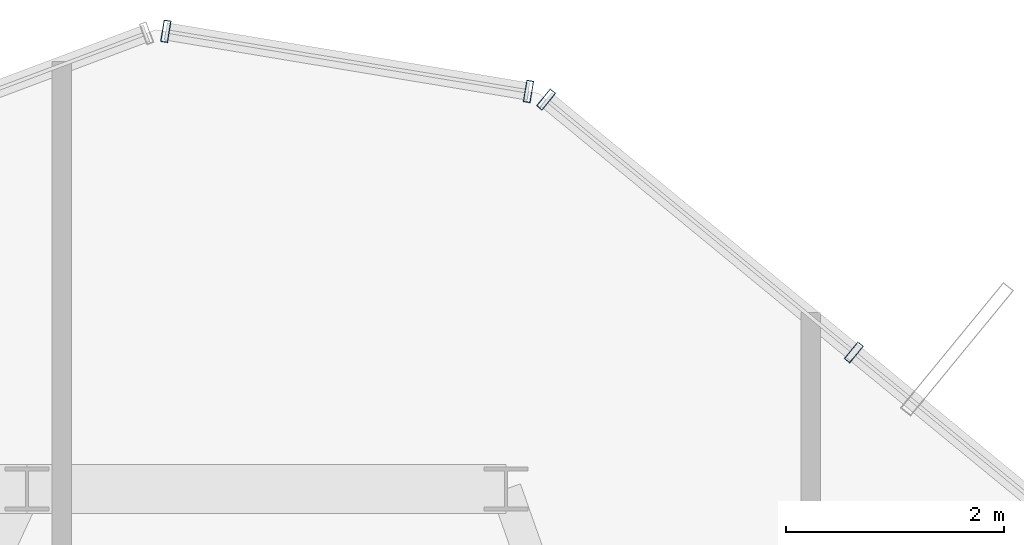
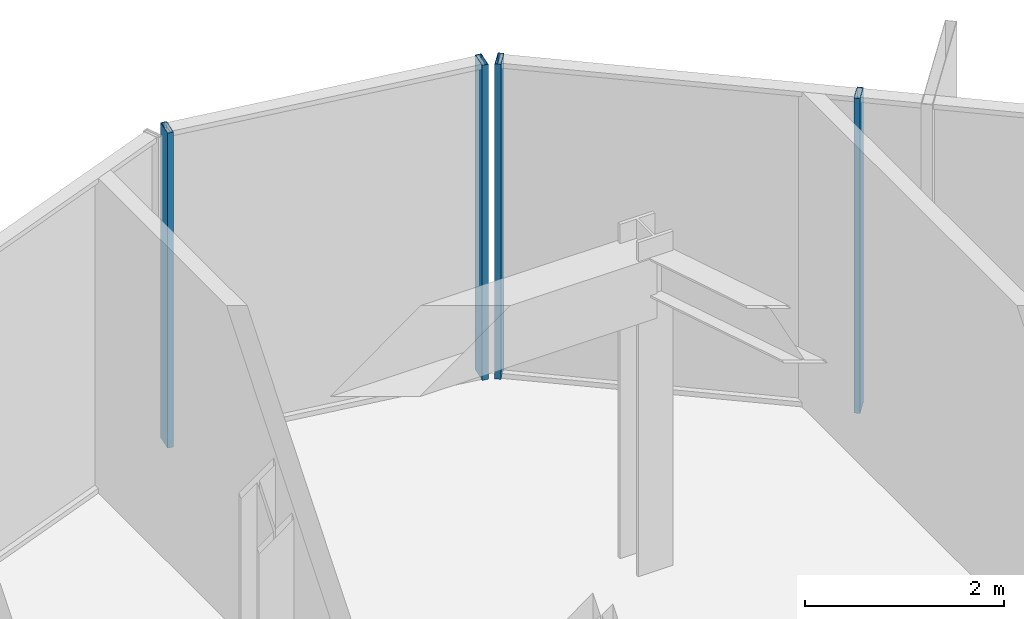
# One storey, part 16 of 22: 4 members, 2 elements without a shape of their own.
"""IFC4 building model written with IfcOpenShell, lengths in metres."""

from ifc_helpers import new_model, si_unit, direction, frame, origin, origin_2d, place, context, subcontext, project, spatial, hollow_rectangle, extrude, source, transform, mapped, material, layer, layer_set, material_profile, profile_set, type_object, element, aggregate, save


model = new_model("IFC4")

# Units and contexts
model_context = context("Model", 3, precision=1e-05, world=origin(), true_north=direction((0.0, 1.0)))
body_context = subcontext(model_context, "Body", "Model", "MODEL_VIEW")
ifc_project = project(units=[si_unit("LENGTHUNIT", "METRE"), si_unit("AREAUNIT", "SQUARE_METRE"), si_unit("VOLUMEUNIT", "CUBIC_METRE"), si_unit("PLANEANGLEUNIT", "RADIAN"), si_unit("MASSUNIT", "GRAM", prefix="KILO")], contexts=[model_context])

# Site, building, storey
site_placement = place(None, origin())
site = spatial("IfcSite", under=ifc_project, at=site_placement, CompositionType="ELEMENT")
building_placement = place(site_placement, origin())
building = spatial("IfcBuilding", under=site, at=building_placement, Name="Veraguas Prism Commons", CompositionType="ELEMENT")
storey_placement = place(building_placement, frame((0.0, 0.0, 240.64990234375)))
storey = spatial("IfcBuildingStorey", under=building, at=storey_placement, Name="L68", CompositionType="ELEMENT", Elevation=240.64990234375)

# Curtain wall, members
ifc_material = material(Name="Anodised aluminium EN AW-6063 T6", Category="aluminium")
ifc_layer = layer(ifc_material, 0.199951171875, Name="Sky Lobby and Pool Acoustic Curtain Wall", Category="aluminium")
ifc_layer_set = layer_set([ifc_layer], Name="Anodised aluminium EN AW-6063 T6")
curtain_wall_type = type_object("IfcCurtainWallType", Name="Sky Lobby and Pool Acoustic Curtain Wall", PredefinedType="NOTDEFINED", material=ifc_layer_set)
curtain_wall_1_placement = place(storey_placement, origin())
curtain_wall_1 = element("IfcCurtainWall", 1, at=curtain_wall_1_placement, inside=storey, type_object=curtain_wall_type, Name="Tower Facade Curtain Wall L68-F1", PredefinedType="NOTDEFINED")
ifc_material_profile = material_profile(ifc_material, hollow_rectangle(XDim=0.06494140625, YDim=0.199951171875, WallThickness=0.00390625, at=origin_2d()), Name="AL65X200X4")
ifc_profile_set = profile_set([ifc_material_profile], Name="Anodised aluminium EN AW-6063 T6")
member_type = type_object("IfcMemberType", Name="Curtain Wall Mullion Heavy AL 65x200x4", PredefinedType="MULLION", material=ifc_profile_set)
shared_shape = source(origin(), body_context, "Body", "SweptSolid", [
    extrude(hollow_rectangle(XDim=0.06494140625, YDim=0.199951171875, WallThickness=0.00390625, at=origin_2d()), origin(), (0.0, 0.0, 1.0), 3.864990234375),
])
member_1_placement = place(storey_placement, frame((31.5966796875, 39.055419921875, 0.0), z_axis=(0.0, 0.0, 1.0), x_axis=(-0.772514180242, 0.634997512849, 0.0)))
member_1 = element("IfcMember", 2, at=member_1_placement, type_object=member_type, Name="CW-SKY Mullion 4", PredefinedType="MULLION", context=body_context, shape_type="MappedRepresentation", body=[
    mapped(shared_shape, transform((0.0, 0.0, 0.0), scale=1.0)),
])
member_2_placement = place(storey_placement, frame((28.77001953125, 41.37890625, 0.0), z_axis=(0.0, 0.0, 1.0), x_axis=(-0.772514180242, 0.634997512849, 0.0)))
member_2 = element("IfcMember", 3, at=member_2_placement, type_object=member_type, Name="CW-SKY Mullion 5", PredefinedType="MULLION", context=body_context, shape_type="MappedRepresentation", body=[
    mapped(shared_shape, transform((0.0, 0.0, 0.0), scale=1.0)),
])
aggregate(curtain_wall_1, [member_1, member_2])

curtain_wall_2_placement = place(storey_placement, origin())
curtain_wall_2 = element("IfcCurtainWall", 4, at=curtain_wall_2_placement, inside=storey, type_object=curtain_wall_type, Name="Chamfer Curtain Wall L68-C2", PredefinedType="NOTDEFINED")
member_3_placement = place(storey_placement, frame((28.607421875, 41.452880859375, 0.0), z_axis=(0.0, 0.0, 1.0), x_axis=(-0.986511376171, 0.16369271421, 0.0)))
member_3 = element("IfcMember", 5, at=member_3_placement, type_object=member_type, Name="CW-SKY Mullion 1", PredefinedType="MULLION", context=body_context, shape_type="MappedRepresentation", body=[
    mapped(shared_shape, transform((0.0, 0.0, 0.0), scale=1.0)),
])
member_4_placement = place(storey_placement, frame((25.275390625, 42.005615234375, 0.0), z_axis=(0.0, 0.0, 1.0), x_axis=(-0.986511376171, 0.16369271421, 0.0)))
member_4 = element("IfcMember", 6, at=member_4_placement, type_object=member_type, Name="CW-SKY Mullion 2", PredefinedType="MULLION", context=body_context, shape_type="MappedRepresentation", body=[
    mapped(shared_shape, transform((0.0, 0.0, 0.0), scale=1.0)),
])
aggregate(curtain_wall_2, [member_3, member_4])

save(model, "model.ifc")
